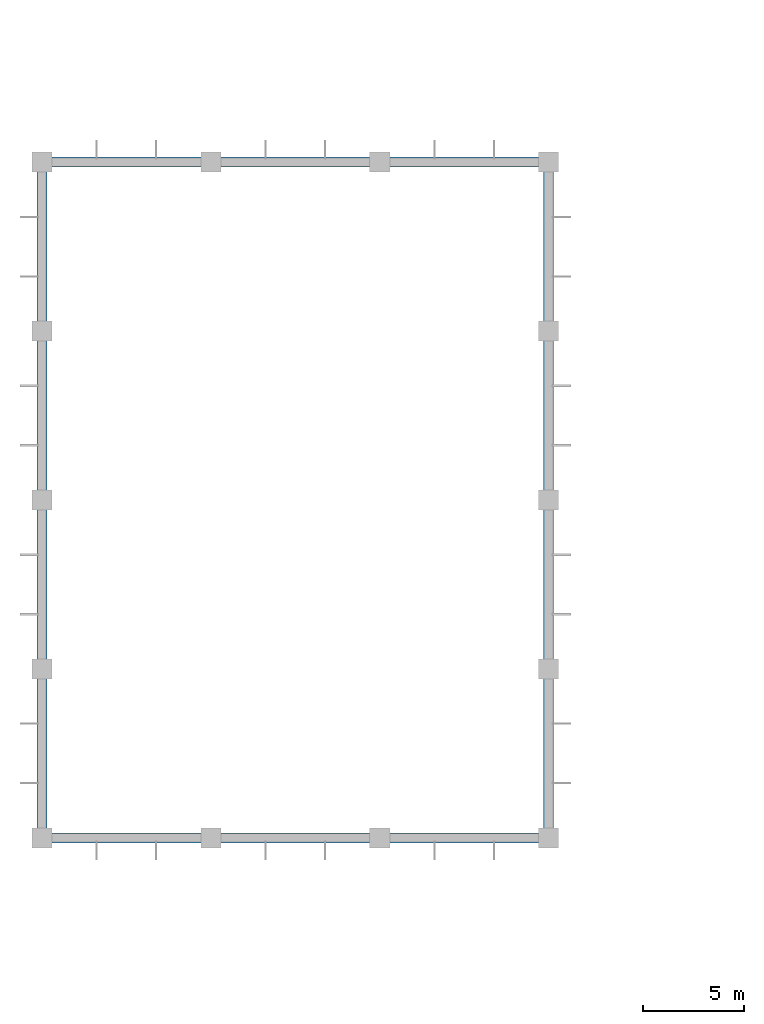
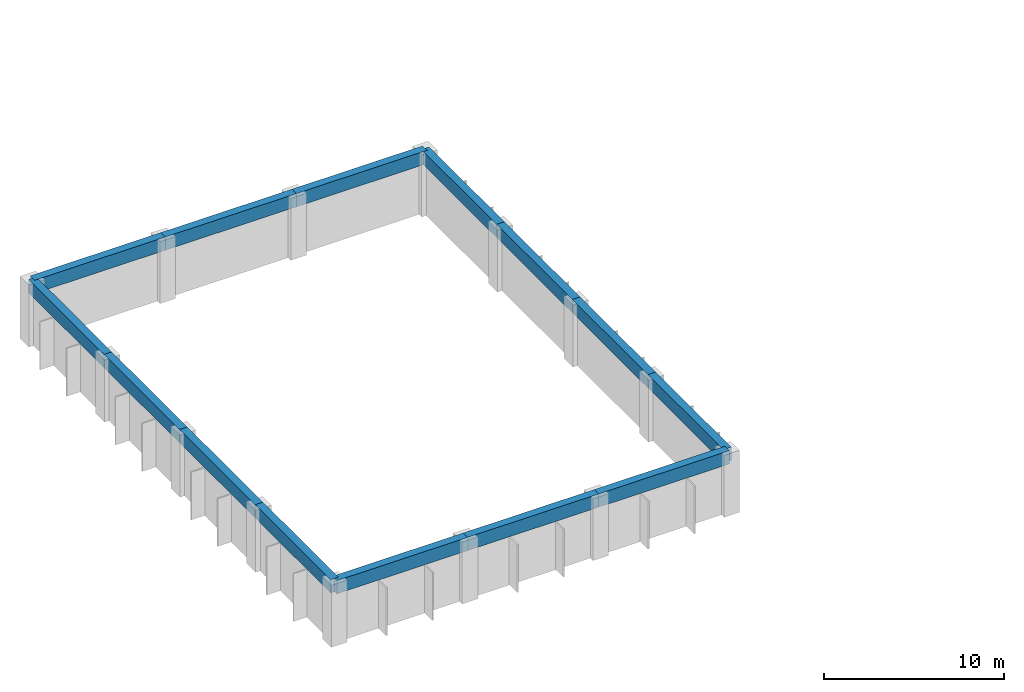
# One storey, part 4 of 19: 14 beams.
"""IFC4 building model written with IfcOpenShell, lengths in metres."""

from ifc_helpers import new_model, si_unit, direction, frame, origin, origin_2d, place, context, subcontext, project, spatial, rectangle, extrude, material, material_profile, profile_set, type_object, element, save


model = new_model("IFC4")

# Units and contexts
model_context = context("Model", 3, precision=1e-05, world=origin(), true_north=direction((0.0, 1.0)))
body_context = subcontext(model_context, "Body", "Model", "MODEL_VIEW")
ifc_project = project(units=[si_unit("LENGTHUNIT", "METRE"), si_unit("AREAUNIT", "SQUARE_METRE"), si_unit("VOLUMEUNIT", "CUBIC_METRE"), si_unit("PLANEANGLEUNIT", "RADIAN"), si_unit("MASSUNIT", "GRAM", prefix="KILO")], contexts=[model_context])

# Site, building, storey
site_placement = place(None, origin())
site = spatial("IfcSite", under=ifc_project, at=site_placement, CompositionType="ELEMENT")
building_placement = place(site_placement, origin())
building = spatial("IfcBuilding", under=site, at=building_placement, Name="Xuanlan Plaza Opera House", CompositionType="ELEMENT")
storey_placement = place(building_placement, frame((0.0, 0.0, 36.300048828125)))
storey = spatial("IfcBuildingStorey", under=building, at=storey_placement, Name="L08", CompositionType="ELEMENT", Elevation=36.300048828125)

# Beams
ifc_material = material(Name="Concrete C40", Category="concrete")
ifc_material_profile = material_profile(ifc_material, rectangle(XDim=0.5, YDim=0.89990234375, at=origin_2d()), Name="RC-BM 500x900")
ifc_profile_set = profile_set([ifc_material_profile], Name="Concrete C40")
beam_type = type_object("IfcBeamType", Name="STR-BM-B-03", PredefinedType="BEAM", material=ifc_profile_set)
beam_1_placement = place(storey_placement, frame((42.0, 42.0, 3.75), z_axis=(0.0, 1.0, 0.0), x_axis=(-1.0, 0.0, 0.0)))
element("IfcBeam", 1, at=beam_1_placement, inside=storey, type_object=beam_type, Name="Fly Tower Ring Beam Y L08 6/F-G", PredefinedType="BEAM", context=body_context, shape_type="SweptSolid", body=[
    extrude(rectangle(XDim=0.5, YDim=0.89990234375, at=origin_2d()), origin(), (0.0, 0.0, 1.0), 8.39990234375),
])
beam_2_placement = place(storey_placement, frame((42.0, 50.39990234375, 3.75), z_axis=(0.0, 1.0, 0.0), x_axis=(-1.0, 0.0, 0.0)))
element("IfcBeam", 2, at=beam_2_placement, inside=storey, type_object=beam_type, Name="Fly Tower Ring Beam Y L08 6/G-H", PredefinedType="BEAM", context=body_context, shape_type="SweptSolid", body=[
    extrude(rectangle(XDim=0.5, YDim=0.89990234375, at=origin_2d()), origin(), (0.0, 0.0, 1.0), 8.400146484375),
])
beam_3_placement = place(storey_placement, frame((42.0, 58.800048828125, 3.75), z_axis=(0.0, 1.0, 0.0), x_axis=(-1.0, 0.0, 0.0)))
element("IfcBeam", 3, at=beam_3_placement, inside=storey, type_object=beam_type, Name="Fly Tower Ring Beam Y L08 6/H-I", PredefinedType="BEAM", context=body_context, shape_type="SweptSolid", body=[
    extrude(rectangle(XDim=0.5, YDim=0.89990234375, at=origin_2d()), origin(), (0.0, 0.0, 1.0), 8.39990234375),
])
beam_4_placement = place(storey_placement, frame((42.0, 67.199951171875, 3.75), z_axis=(0.0, 1.0, 0.0), x_axis=(-1.0, 0.0, 0.0)))
element("IfcBeam", 4, at=beam_4_placement, inside=storey, type_object=beam_type, Name="Fly Tower Ring Beam Y L08 6/I-J", PredefinedType="BEAM", context=body_context, shape_type="SweptSolid", body=[
    extrude(rectangle(XDim=0.5, YDim=0.89990234375, at=origin_2d()), origin(), (0.0, 0.0, 1.0), 8.400146484375),
])
beam_5_placement = place(storey_placement, frame((67.199951171875, 42.0, 3.75), z_axis=(0.0, 1.0, 0.0), x_axis=(-1.0, 0.0, 0.0)))
element("IfcBeam", 5, at=beam_5_placement, inside=storey, type_object=beam_type, Name="Fly Tower Ring Beam Y L08 9/F-G", PredefinedType="BEAM", context=body_context, shape_type="SweptSolid", body=[
    extrude(rectangle(XDim=0.5, YDim=0.89990234375, at=origin_2d()), origin(), (0.0, 0.0, 1.0), 8.39990234375),
])
beam_6_placement = place(storey_placement, frame((67.199951171875, 50.39990234375, 3.75), z_axis=(0.0, 1.0, 0.0), x_axis=(-1.0, 0.0, 0.0)))
element("IfcBeam", 6, at=beam_6_placement, inside=storey, type_object=beam_type, Name="Fly Tower Ring Beam Y L08 9/G-H", PredefinedType="BEAM", context=body_context, shape_type="SweptSolid", body=[
    extrude(rectangle(XDim=0.5, YDim=0.89990234375, at=origin_2d()), origin(), (0.0, 0.0, 1.0), 8.400146484375),
])
beam_7_placement = place(storey_placement, frame((67.199951171875, 58.800048828125, 3.75), z_axis=(0.0, 1.0, 0.0), x_axis=(-1.0, 0.0, 0.0)))
element("IfcBeam", 7, at=beam_7_placement, inside=storey, type_object=beam_type, Name="Fly Tower Ring Beam Y L08 9/H-I", PredefinedType="BEAM", context=body_context, shape_type="SweptSolid", body=[
    extrude(rectangle(XDim=0.5, YDim=0.89990234375, at=origin_2d()), origin(), (0.0, 0.0, 1.0), 8.39990234375),
])
beam_8_placement = place(storey_placement, frame((67.199951171875, 67.199951171875, 3.75), z_axis=(0.0, 1.0, 0.0), x_axis=(-1.0, 0.0, 0.0)))
element("IfcBeam", 8, at=beam_8_placement, inside=storey, type_object=beam_type, Name="Fly Tower Ring Beam Y L08 9/I-J", PredefinedType="BEAM", context=body_context, shape_type="SweptSolid", body=[
    extrude(rectangle(XDim=0.5, YDim=0.89990234375, at=origin_2d()), origin(), (0.0, 0.0, 1.0), 8.400146484375),
])
beam_9_placement = place(storey_placement, frame((42.0, 42.0, 3.75), z_axis=(1.0, 0.0, 0.0), x_axis=(0.0, 1.0, 0.0)))
element("IfcBeam", 9, at=beam_9_placement, inside=storey, type_object=beam_type, Name="Fly Tower Ring Beam X L08 6-7/F", PredefinedType="BEAM", context=body_context, shape_type="SweptSolid", body=[
    extrude(rectangle(XDim=0.5, YDim=0.89990234375, at=origin_2d()), origin(), (0.0, 0.0, 1.0), 8.39990234375),
])
beam_10_placement = place(storey_placement, frame((50.39990234375, 42.0, 3.75), z_axis=(1.0, 0.0, 0.0), x_axis=(0.0, 1.0, 0.0)))
element("IfcBeam", 10, at=beam_10_placement, inside=storey, type_object=beam_type, Name="Fly Tower Ring Beam X L08 7-8/F", PredefinedType="BEAM", context=body_context, shape_type="SweptSolid", body=[
    extrude(rectangle(XDim=0.5, YDim=0.89990234375, at=origin_2d()), origin(), (0.0, 0.0, 1.0), 8.400146484375),
])
for number, where, z_axis, x_axis, name in (
    (11, (58.800048828125, 42.0, 3.75), (1.0, 0.0, 0.0), (0.0, 1.0, 0.0), "Fly Tower Ring Beam X L08 8-9/F"),
    (12, (42.0, 75.60009765625, 3.75), (1.0, 0.0, 0.0), (0.0, 1.0, 0.0), "Fly Tower Ring Beam X L08 6-7/J"),
):
    element("IfcBeam", number, at=place(storey_placement, frame(where, z_axis=z_axis, x_axis=x_axis)), inside=storey, type_object=beam_type, Name=name, PredefinedType="BEAM", context=body_context, shape_type="SweptSolid", body=[
        extrude(rectangle(XDim=0.5, YDim=0.89990234375, at=origin_2d()), origin(), (0.0, 0.0, 1.0), 8.39990234375),
    ])
beam_11_placement = place(storey_placement, frame((50.39990234375, 75.60009765625, 3.75), z_axis=(1.0, 0.0, 0.0), x_axis=(0.0, 1.0, 0.0)))
element("IfcBeam", 13, at=beam_11_placement, inside=storey, type_object=beam_type, Name="Fly Tower Ring Beam X L08 7-8/J", PredefinedType="BEAM", context=body_context, shape_type="SweptSolid", body=[
    extrude(rectangle(XDim=0.5, YDim=0.89990234375, at=origin_2d()), origin(), (0.0, 0.0, 1.0), 8.400146484375),
])
beam_12_placement = place(storey_placement, frame((58.800048828125, 75.60009765625, 3.75), z_axis=(1.0, 0.0, 0.0), x_axis=(0.0, 1.0, 0.0)))
element("IfcBeam", 14, at=beam_12_placement, inside=storey, type_object=beam_type, Name="Fly Tower Ring Beam X L08 8-9/J", PredefinedType="BEAM", context=body_context, shape_type="SweptSolid", body=[
    extrude(rectangle(XDim=0.5, YDim=0.89990234375, at=origin_2d()), origin(), (0.0, 0.0, 1.0), 8.39990234375),
])

save(model, "model.ifc")
